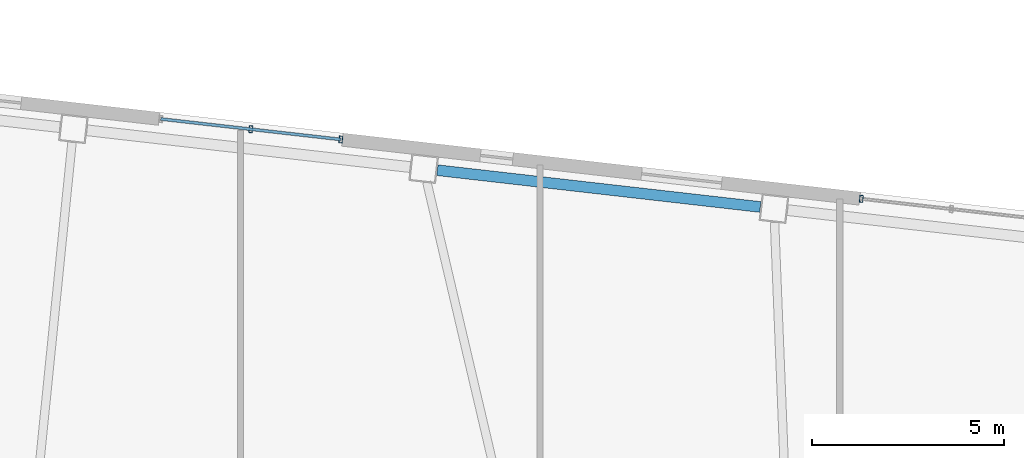
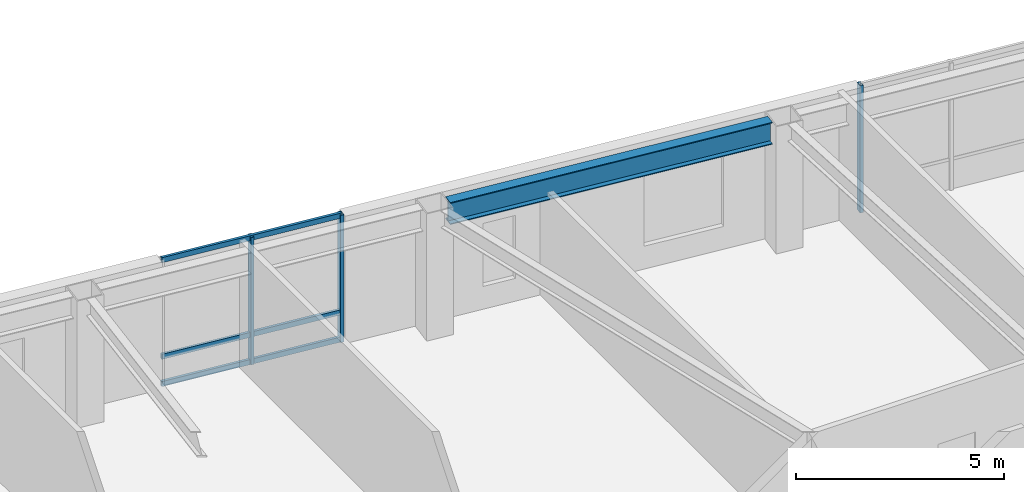
# One storey, part 7 of 19: 6 members, 1 beam, 2 elements without a shape of their own.
"""IFC4 building model written with IfcOpenShell, lengths in metres."""

from ifc_helpers import new_model, si_unit, direction, frame, origin, origin_2d, place, context, subcontext, project, spatial, hollow_rectangle, i_section, extrude, material, layer, layer_set, material_profile, profile_set, type_object, element, aggregate, save


model = new_model("IFC4")

# Units and contexts
model_context = context("Model", 3, precision=1e-05, world=origin(), true_north=direction((0.0, 1.0)))
body_context = subcontext(model_context, "Body", "Model", "MODEL_VIEW")
ifc_project = project(units=[si_unit("LENGTHUNIT", "METRE"), si_unit("AREAUNIT", "SQUARE_METRE"), si_unit("VOLUMEUNIT", "CUBIC_METRE"), si_unit("PLANEANGLEUNIT", "RADIAN"), si_unit("MASSUNIT", "GRAM", prefix="KILO")], contexts=[model_context])

# Site, building, storey
site_placement = place(None, origin())
site = spatial("IfcSite", under=ifc_project, at=site_placement, CompositionType="ELEMENT")
building_placement = place(site_placement, origin())
building = spatial("IfcBuilding", under=site, at=building_placement, Name="Tavrogorsk Clinical Tower", CompositionType="ELEMENT")
storey_placement = place(building_placement, frame((0.0, 0.0, 101.39990234375)))
storey = spatial("IfcBuildingStorey", under=building, at=storey_placement, Name="L22", CompositionType="ELEMENT", Elevation=101.39990234375)

# Curtain wall, members
ifc_material_1 = material(Name="Anodised aluminium and triple IGU glazing", Category="aluminium")
ifc_layer = layer(ifc_material_1, 0.179931640625)
ifc_layer_set = layer_set([ifc_layer], Name="Anodised aluminium and triple IGU glazing")
curtain_wall_type = type_object("IfcCurtainWallType", Name="CW2_NorthSlot", PredefinedType="NOTDEFINED", material=ifc_layer_set)
curtain_wall_1_placement = place(storey_placement, origin())
curtain_wall_1 = element("IfcCurtainWall", 1, at=curtain_wall_1_placement, inside=storey, type_object=curtain_wall_type, Name="L22 Curtain Wall CW-L22-N-SLOT-1", PredefinedType="NOTDEFINED")
ifc_material_2 = material(Name="Anodised aluminium alloy AW-6060", Category="aluminium")
ifc_material_profile_1 = material_profile(ifc_material_2, hollow_rectangle(XDim=0.090087890625, YDim=0.179931640625, WallThickness=0.00634765625, at=origin_2d()), Name="RHS-180x90x6.3")
ifc_profile_set_1 = profile_set([ifc_material_profile_1], Name="Anodised aluminium alloy AW-6060")
member_type_1 = type_object("IfcMemberType", Name="CwMullion_180x90", PredefinedType="MULLION", material=ifc_profile_set_1)
member_1_placement = place(storey_placement, frame((-1.586181640625, 23.443603515625, 0.0), z_axis=(0.0, 0.0, 1.0), x_axis=(-0.993571858269, 0.113203191016, 0.0)))
member_1 = element("IfcMember", 2, at=member_1_placement, type_object=member_type_1, Name="CW-L22-N-SLOT-1 Mullion 1", PredefinedType="MULLION", context=body_context, shape_type="SweptSolid", body=[
    extrude(hollow_rectangle(XDim=0.090087890625, YDim=0.179931640625, WallThickness=0.00634765625, at=origin_2d()), origin(), (0.0, 0.0, 1.0), 3.739990234375),
])
member_2_placement = place(storey_placement, frame((-3.929931640625, 23.71044921875, 0.0), z_axis=(0.0, 0.0, 1.0), x_axis=(-0.993571858269, 0.113203191016, 0.0)))
member_2 = element("IfcMember", 3, at=member_2_placement, type_object=member_type_1, Name="CW-L22-N-SLOT-1 Mullion 2", PredefinedType="MULLION", context=body_context, shape_type="SweptSolid", body=[
    extrude(hollow_rectangle(XDim=0.090087890625, YDim=0.179931640625, WallThickness=0.00634765625, at=origin_2d()), origin(), (0.0, 0.0, 1.0), 3.739990234375),
])

# Curtain wall, member
curtain_wall_2_placement = place(storey_placement, origin())
curtain_wall_2 = element("IfcCurtainWall", 4, at=curtain_wall_2_placement, inside=storey, type_object=curtain_wall_type, Name="L22 Curtain Wall CW-L22-N-SLOT-2", PredefinedType="NOTDEFINED")
member_3_placement = place(storey_placement, frame((11.962646484375, 21.89990234375, 0.0), z_axis=(0.0, 0.0, 1.0), x_axis=(-0.993571855603, 0.11320321441, 0.0)))
member_3 = element("IfcMember", 5, at=member_3_placement, type_object=member_type_1, Name="CW-L22-N-SLOT-2 Mullion 3", PredefinedType="MULLION", context=body_context, shape_type="SweptSolid", body=[
    extrude(hollow_rectangle(XDim=0.090087890625, YDim=0.179931640625, WallThickness=0.00634765625, at=origin_2d()), origin(), (0.0, 0.0, 1.0), 3.739990234375),
])
aggregate(curtain_wall_2, [member_3])

# Member
ifc_material_3 = material(Name="Anodised aluminium alloy AW-6060", Category="aluminium")
ifc_material_profile_2 = material_profile(ifc_material_3, hollow_rectangle(XDim=0.074951171875, YDim=0.14990234375, WallThickness=0.0048828125, at=origin_2d()), Name="RHS-150x75x5")
ifc_profile_set_2 = profile_set([ifc_material_profile_2], Name="Anodised aluminium alloy AW-6060")
member_type_2 = type_object("IfcMemberType", Name="CwTransom_150x75", PredefinedType="USERDEFINED", material=ifc_profile_set_2)
member_4_placement = place(storey_placement, frame((-1.586181640625, 23.443603515625, 0.050048828125), z_axis=(-0.993575136134, 0.11317441785, 0.0), x_axis=(-0.11317441785, -0.993575136134, 0.0)))
member_4 = element("IfcMember", 6, at=member_4_placement, type_object=member_type_2, Name="CW-L22-N-SLOT-1 Transom 1", ObjectType="TRANSOM", PredefinedType="USERDEFINED", context=body_context, shape_type="SweptSolid", body=[
    extrude(hollow_rectangle(XDim=0.074951171875, YDim=0.14990234375, WallThickness=0.0048828125, at=origin_2d()), origin(), (0.0, 0.0, 1.0), 4.7177734375),
])

member_5_placement = place(storey_placement, frame((-1.586181640625, 23.443603515625, 0.85009765625), z_axis=(-0.993575136134, 0.11317441785, 0.0), x_axis=(-0.11317441785, -0.993575136134, 0.0)))
member_5 = element("IfcMember", 7, at=member_5_placement, type_object=member_type_2, Name="CW-L22-N-SLOT-1 Transom 2", ObjectType="TRANSOM", PredefinedType="USERDEFINED", context=body_context, shape_type="SweptSolid", body=[
    extrude(hollow_rectangle(XDim=0.074951171875, YDim=0.14990234375, WallThickness=0.0048828125, at=origin_2d()), origin(), (0.0, 0.0, 1.0), 4.7177734375),
])

member_6_placement = place(storey_placement, frame((-1.586181640625, 23.443603515625, 3.690185546875), z_axis=(-0.993575136134, 0.11317441785, 0.0), x_axis=(-0.11317441785, -0.993575136134, 0.0)))
member_6 = element("IfcMember", 8, at=member_6_placement, type_object=member_type_2, Name="CW-L22-N-SLOT-1 Transom 3", ObjectType="TRANSOM", PredefinedType="USERDEFINED", context=body_context, shape_type="SweptSolid", body=[
    extrude(hollow_rectangle(XDim=0.074951171875, YDim=0.14990234375, WallThickness=0.0048828125, at=origin_2d()), origin(), (0.0, 0.0, 1.0), 4.7177734375),
])

aggregate(curtain_wall_1, [member_1, member_2, member_4, member_5, member_6])

# Beam
ifc_material_4 = material(Name="Structural steel S390", Category="steel")
ifc_material_profile_3 = material_profile(ifc_material_4, i_section(OverallWidth=0.280029296875, OverallDepth=0.64990234375, WebThickness=0.01611328125, FlangeThickness=0.02490234375, at=origin_2d()), Name="B-650x280x16x25")
ifc_profile_set_3 = profile_set([ifc_material_profile_3], Name="Structural steel S390")
beam_type = type_object("IfcBeamType", Name="SpandrelBeam_B650", PredefinedType="SPANDREL", material=ifc_profile_set_3)
beam_placement = place(storey_placement, frame((9.333984375, 21.68603515625, 3.4150390625), z_axis=(-0.99357306506, 0.113192598642, 0.0), x_axis=(-0.113192598642, -0.99357306506, 0.0)))
element("IfcBeam", 9, at=beam_placement, inside=storey, type_object=beam_type, Name="L22 Perimeter Spandrel N4-N5", PredefinedType="SPANDREL", context=body_context, shape_type="SweptSolid", body=[
    extrude(i_section(OverallWidth=0.280029296875, OverallDepth=0.64990234375, WebThickness=0.01611328125, FlangeThickness=0.02490234375, at=origin_2d()), origin(), (0.0, 0.0, 1.0), 8.46142578125),
])

save(model, "model.ifc")
